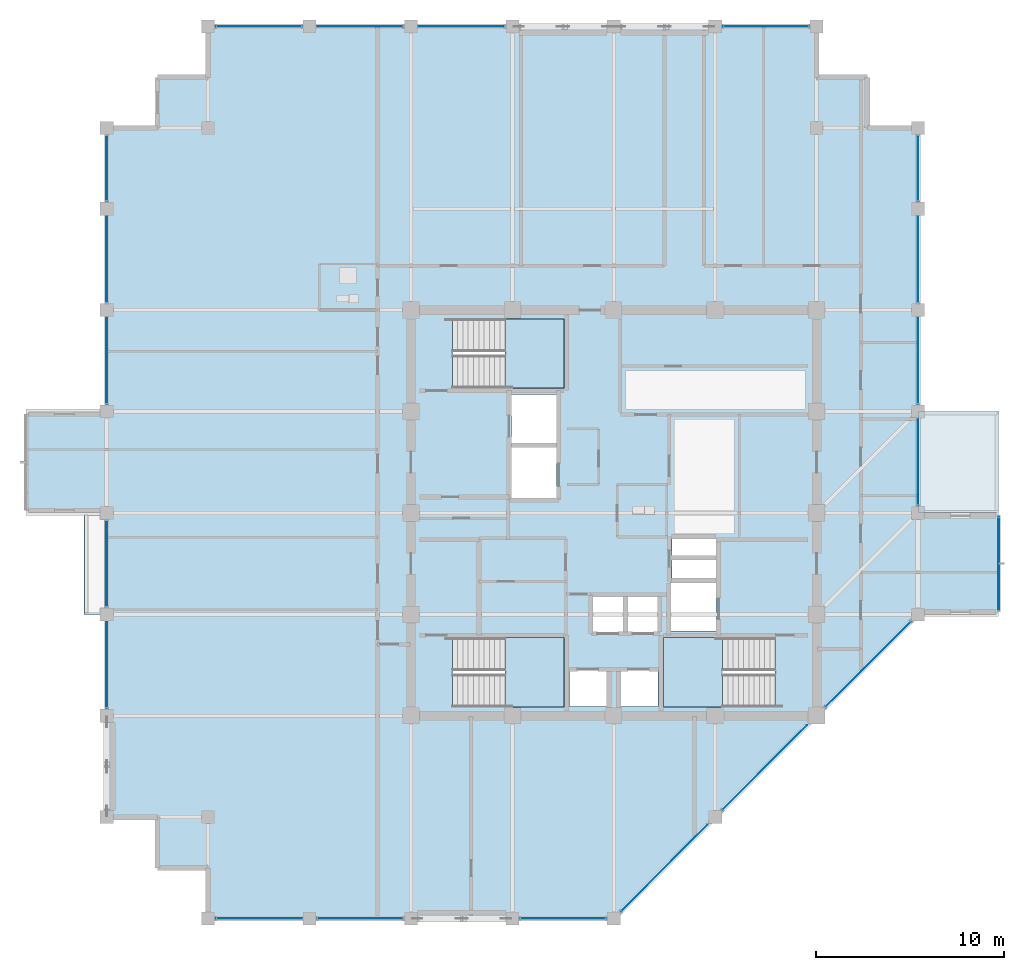
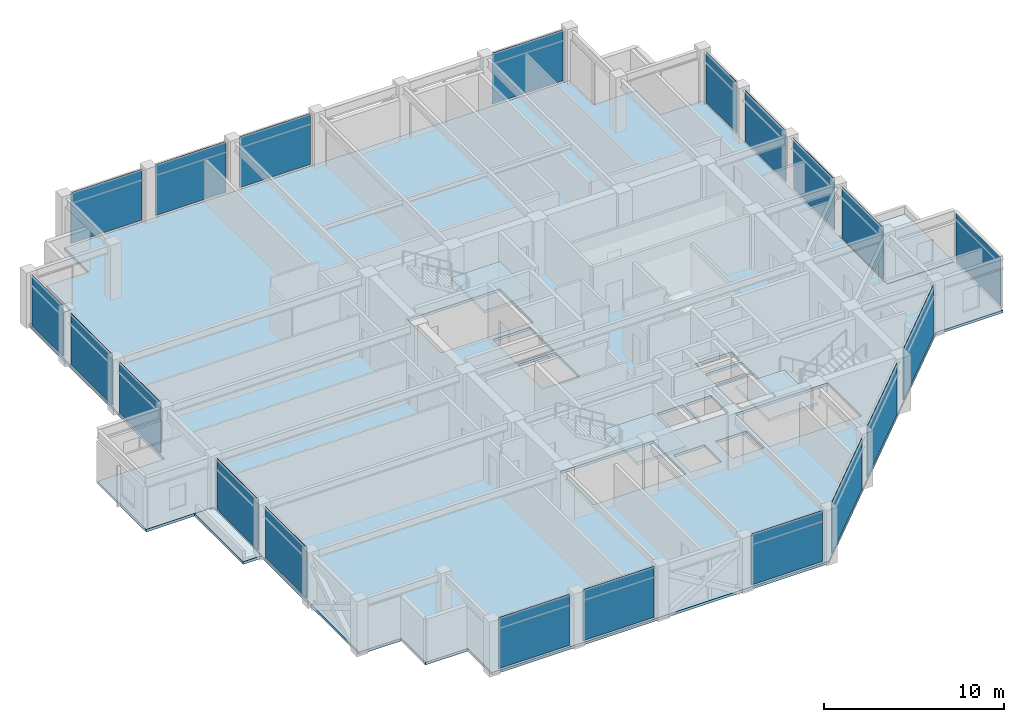
# One storey, part 22 of 31: 20 plates, 6 slabs, 12 elements without a shape of their own.
"""IFC4 building model written with IfcOpenShell, lengths in metres."""

from ifc_helpers import new_model, si_unit, direction, frame, frame_2d, origin, place, context, subcontext, project, spatial, polyline, rectangle, outline, extrude, material, layer, layer_set, type_object, element, aggregate, save


model = new_model("IFC4")

# Units and contexts
model_context = context("Model", 3, precision=1e-05, world=origin(), true_north=direction((0.0, 1.0)))
body_context = subcontext(model_context, "Body", "Model", "MODEL_VIEW")
ifc_project = project(units=[si_unit("LENGTHUNIT", "METRE"), si_unit("AREAUNIT", "SQUARE_METRE"), si_unit("VOLUMEUNIT", "CUBIC_METRE"), si_unit("PLANEANGLEUNIT", "RADIAN"), si_unit("MASSUNIT", "GRAM", prefix="KILO")], contexts=[model_context])

# Site, building, storey
site_placement = place(None, origin())
site = spatial("IfcSite", under=ifc_project, at=site_placement, CompositionType="ELEMENT")
building_placement = place(site_placement, origin())
building = spatial("IfcBuilding", under=site, at=building_placement, Name="Surkhivell Harbour Commons", CompositionType="ELEMENT")
storey_placement = place(building_placement, frame((0.0, 0.0, 315.0)))
storey = spatial("IfcBuildingStorey", under=building, at=storey_placement, Name="L82", CompositionType="ELEMENT", Elevation=315.0)

# Curtain wall, plate
ifc_material_1 = material(Name="Anodised pale-metal aluminium and insulated glazing", Category="aluminium")
ifc_layer_1 = layer(ifc_material_1, 0.1650390625)
ifc_layer_set_1 = layer_set([ifc_layer_1], Name="Anodised pale-metal aluminium and insulated glazing")
curtain_wall_type_1 = type_object("IfcCurtainWallType", Name="CW-SYS-BOX", PredefinedType="NOTDEFINED", material=ifc_layer_set_1)
curtain_wall_1_placement = place(storey_placement, origin())
curtain_wall_1 = element("IfcCurtainWall", 1, at=curtain_wall_1_placement, inside=storey, type_object=curtain_wall_type_1, Name="L82 Curtain Wall CW-L82-BOX01", PredefinedType="NOTDEFINED")
ifc_material_2 = material(Name="Triple-glazed bay-cluster vision glass", Category="glass")
ifc_layer_2 = layer(ifc_material_2, 0.028076171875)
ifc_layer_set_2 = layer_set([ifc_layer_2], Name="Triple-glazed bay-cluster vision glass")
plate_type_1 = type_object("IfcPlateType", Name="CWP-GLZ-28", PredefinedType="CURTAIN_PANEL", material=ifc_layer_set_2)
plate_1_placement = place(storey_placement, frame((20.5, -5.179931640625, 0.1298828125), z_axis=(0.0, 0.0, 1.0), x_axis=(0.0, 1.0, 0.0)))
plate_1 = element("IfcPlate", 2, at=plate_1_placement, type_object=plate_type_1, Name="CW-BOX panel 1.1", PredefinedType="CURTAIN_PANEL", context=body_context, shape_type="SweptSolid", body=[
    extrude(rectangle(XDim=4.9599609375, YDim=0.028076171875, at=frame_2d((2.47998046875, 0.0))), origin(), (0.0, 0.0, 1.0), 3.31005859375),
])
aggregate(curtain_wall_1, [plate_1])

# Curtain wall, plates
ifc_layer_3 = layer(ifc_material_1, 0.175048828125)
ifc_layer_set_3 = layer_set([ifc_layer_3], Name="Anodised pale-metal aluminium and insulated glazing")
curtain_wall_type_2 = type_object("IfcCurtainWallType", Name="CW-SYS-Z4", PredefinedType="NOTDEFINED", material=ifc_layer_set_3)
curtain_wall_2_placement = place(storey_placement, origin())
curtain_wall_2 = element("IfcCurtainWall", 3, at=curtain_wall_2_placement, inside=storey, type_object=curtain_wall_type_2, Name="L82 Curtain Wall CW-L82-E00S1", PredefinedType="NOTDEFINED")
ifc_material_3 = material(Name="Double-silver low-E laminated vision glass", Category="glass")
ifc_layer_4 = layer(ifc_material_3, 0.031982421875)
ifc_layer_set_4 = layer_set([ifc_layer_4], Name="Double-silver low-E laminated vision glass")
plate_type_2 = type_object("IfcPlateType", Name="CWP-GLZ-32", PredefinedType="CURTAIN_PANEL", material=ifc_layer_set_4)
plate_2_placement = place(storey_placement, frame((-21.173095703125, -21.60009765625, 0.1298828125), z_axis=(0.0, 0.0, 1.0), x_axis=(1.0, 0.0, 0.0)))
plate_2 = element("IfcPlate", 4, at=plate_2_placement, type_object=plate_type_2, Name="CW-Z4 panel 1.1", PredefinedType="CURTAIN_PANEL", context=body_context, shape_type="SweptSolid", body=[
    extrude(rectangle(XDim=4.546142578125, YDim=0.031982421875, at=frame_2d((2.27294921875, 0.0))), origin(), (0.0, 0.0, 1.0), 3.440185546875),
])
plate_3_placement = place(storey_placement, frame((-15.77294921875, -21.60009765625, 0.1298828125), z_axis=(0.0, 0.0, 1.0), x_axis=(1.0, 0.0, 0.0)))
plate_3 = element("IfcPlate", 5, at=plate_3_placement, type_object=plate_type_2, Name="CW-Z4 panel 2.1", PredefinedType="CURTAIN_PANEL", context=body_context, shape_type="SweptSolid", body=[
    extrude(rectangle(XDim=4.5458984375, YDim=0.031982421875, at=frame_2d((2.27294921875, 0.0))), origin(), (0.0, 0.0, 1.0), 3.440185546875),
])
aggregate(curtain_wall_2, [plate_2, plate_3])

# Curtain wall, plate
curtain_wall_3_placement = place(storey_placement, origin())
curtain_wall_3 = element("IfcCurtainWall", 6, at=curtain_wall_3_placement, inside=storey, type_object=curtain_wall_type_2, Name="L82 Curtain Wall CW-L82-E00S2", PredefinedType="NOTDEFINED")
plate_4_placement = place(storey_placement, frame((-4.972900390625, -21.60009765625, 0.1298828125), z_axis=(0.0, 0.0, 1.0), x_axis=(1.0, 0.0, 0.0)))
plate_4 = element("IfcPlate", 7, at=plate_4_placement, type_object=plate_type_2, Name="CW-Z4 panel 1.1", PredefinedType="CURTAIN_PANEL", context=body_context, shape_type="SweptSolid", body=[
    extrude(rectangle(XDim=4.5458984375, YDim=0.031982421875, at=frame_2d((2.27294921875, 0.0))), origin(), (0.0, 0.0, 1.0), 3.440185546875),
])
aggregate(curtain_wall_3, [plate_4])

# Curtain wall, plates
curtain_wall_4_placement = place(storey_placement, origin())
curtain_wall_4 = element("IfcCurtainWall", 8, at=curtain_wall_4_placement, inside=storey, type_object=curtain_wall_type_2, Name="L82 Curtain Wall CW-L82-E01", PredefinedType="NOTDEFINED")
plate_5_placement = place(storey_placement, frame((0.404541015625, -21.1953125, 0.1298828125), z_axis=(0.0, 0.0, 1.0), x_axis=(0.707125583467, 0.707087978406, 0.0)))
plate_5 = element("IfcPlate", 9, at=plate_5_placement, type_object=plate_type_2, Name="CW-Z4 panel 1.1", PredefinedType="CURTAIN_PANEL", context=body_context, shape_type="SweptSolid", body=[
    extrude(rectangle(XDim=6.4921875, YDim=0.031982421875, at=frame_2d((3.24609375, 0.0))), origin(), (0.0, 0.0, 1.0), 3.440185546875),
])
plate_6_placement = place(storey_placement, frame((5.8046875, -15.79541015625, 0.1298828125), z_axis=(0.0, 0.0, 1.0), x_axis=(0.707106781187, 0.707106781187, 0.0)))
plate_6 = element("IfcPlate", 10, at=plate_6_placement, type_object=plate_type_2, Name="CW-Z4 panel 2.1", PredefinedType="CURTAIN_PANEL", context=body_context, shape_type="SweptSolid", body=[
    extrude(rectangle(XDim=6.350830078125, YDim=0.031982421875, at=frame_2d((3.17529296875, 0.0))), origin(), (0.0, 0.0, 1.0), 3.440185546875),
])
plate_7_placement = place(storey_placement, frame((11.3046875, -10.29541015625, 0.1298828125), z_axis=(0.0, 0.0, 1.0), x_axis=(0.707106781187, 0.707106781187, 0.0)))
plate_7 = element("IfcPlate", 11, at=plate_7_placement, type_object=plate_type_2, Name="CW-Z4 panel 3.1", PredefinedType="CURTAIN_PANEL", context=body_context, shape_type="SweptSolid", body=[
    extrude(rectangle(XDim=6.350830078125, YDim=0.031982421875, at=frame_2d((3.17529296875, 0.0))), origin(), (0.0, 0.0, 1.0), 3.440185546875),
])
aggregate(curtain_wall_4, [plate_5, plate_6, plate_7])

curtain_wall_5_placement = place(storey_placement, origin())
curtain_wall_5 = element("IfcCurtainWall", 12, at=curtain_wall_5_placement, inside=storey, type_object=curtain_wall_type_2, Name="L82 Curtain Wall CW-L82-E02R1", PredefinedType="NOTDEFINED")
plate_8_placement = place(storey_placement, frame((16.199951171875, 0.427001953125, 0.1298828125), z_axis=(0.0, 0.0, 1.0), x_axis=(0.0, 1.0, 0.0)))
plate_8 = element("IfcPlate", 13, at=plate_8_placement, type_object=plate_type_2, Name="CW-Z4 panel 1.1", PredefinedType="CURTAIN_PANEL", context=body_context, shape_type="SweptSolid", body=[
    extrude(rectangle(XDim=4.5458984375, YDim=0.031982421875, at=frame_2d((2.27294921875, 0.0))), origin(), (0.0, 0.0, 1.0), 3.440185546875),
])
plate_9_placement = place(storey_placement, frame((16.199951171875, 5.826904296875, 0.1298828125), z_axis=(0.0, 0.0, 1.0), x_axis=(0.0, 1.0, 0.0)))
plate_9 = element("IfcPlate", 14, at=plate_9_placement, type_object=plate_type_2, Name="CW-Z4 panel 2.1", PredefinedType="CURTAIN_PANEL", context=body_context, shape_type="SweptSolid", body=[
    extrude(rectangle(XDim=4.546142578125, YDim=0.031982421875, at=frame_2d((2.27294921875, 0.0))), origin(), (0.0, 0.0, 1.0), 3.440185546875),
])
plate_10_placement = place(storey_placement, frame((16.199951171875, 11.22705078125, 0.1298828125), z_axis=(0.0, 0.0, 1.0), x_axis=(0.0, 1.0, 0.0)))
plate_10 = element("IfcPlate", 15, at=plate_10_placement, type_object=plate_type_2, Name="CW-Z4 panel 3.1", PredefinedType="CURTAIN_PANEL", context=body_context, shape_type="SweptSolid", body=[
    extrude(rectangle(XDim=4.5458984375, YDim=0.031982421875, at=frame_2d((2.27294921875, 0.0))), origin(), (0.0, 0.0, 1.0), 3.440185546875),
])
plate_11_placement = place(storey_placement, frame((16.199951171875, 16.626953125, 0.1298828125), z_axis=(0.0, 0.0, 1.0), x_axis=(0.0, 1.0, 0.0)))
plate_11 = element("IfcPlate", 16, at=plate_11_placement, type_object=plate_type_2, Name="CW-Z4 panel 4.1", PredefinedType="CURTAIN_PANEL", context=body_context, shape_type="SweptSolid", body=[
    extrude(rectangle(XDim=3.446044921875, YDim=0.031982421875, at=frame_2d((1.72314453125, 0.0))), origin(), (0.0, 0.0, 1.0), 3.440185546875),
])
aggregate(curtain_wall_5, [plate_8, plate_9, plate_10, plate_11])

# Curtain wall, plate
curtain_wall_6_placement = place(storey_placement, origin())
curtain_wall_6 = element("IfcCurtainWall", 17, at=curtain_wall_6_placement, inside=storey, type_object=curtain_wall_type_2, Name="L82 Curtain Wall CW-L82-E07S1", PredefinedType="NOTDEFINED")
plate_12_placement = place(storey_placement, frame((10.373046875, 25.89990234375, 0.1298828125), z_axis=(0.0, 0.0, 1.0), x_axis=(-1.0, 0.0, 0.0)))
plate_12 = element("IfcPlate", 18, at=plate_12_placement, type_object=plate_type_2, Name="CW-Z4 panel 1.1", PredefinedType="CURTAIN_PANEL", context=body_context, shape_type="SweptSolid", body=[
    extrude(rectangle(XDim=4.546142578125, YDim=0.031982421875, at=frame_2d((2.27294921875, 0.0))), origin(), (0.0, 0.0, 1.0), 3.440185546875),
])
aggregate(curtain_wall_6, [plate_12])

# Curtain wall, plates
curtain_wall_7_placement = place(storey_placement, origin())
curtain_wall_7 = element("IfcCurtainWall", 19, at=curtain_wall_7_placement, inside=storey, type_object=curtain_wall_type_2, Name="L82 Curtain Wall CW-L82-E07S2", PredefinedType="NOTDEFINED")
plate_13_placement = place(storey_placement, frame((-5.826904296875, 25.89990234375, 0.1298828125), z_axis=(0.0, 0.0, 1.0), x_axis=(-1.0, 0.0, 0.0)))
plate_13 = element("IfcPlate", 20, at=plate_13_placement, type_object=plate_type_2, Name="CW-Z4 panel 1.1", PredefinedType="CURTAIN_PANEL", context=body_context, shape_type="SweptSolid", body=[
    extrude(rectangle(XDim=4.546142578125, YDim=0.031982421875, at=frame_2d((2.27294921875, 0.0))), origin(), (0.0, 0.0, 1.0), 3.440185546875),
])
plate_14_placement = place(storey_placement, frame((-11.22705078125, 25.89990234375, 0.1298828125), z_axis=(0.0, 0.0, 1.0), x_axis=(-1.0, 0.0, 0.0)))
plate_14 = element("IfcPlate", 21, at=plate_14_placement, type_object=plate_type_2, Name="CW-Z4 panel 2.1", PredefinedType="CURTAIN_PANEL", context=body_context, shape_type="SweptSolid", body=[
    extrude(rectangle(XDim=4.5458984375, YDim=0.031982421875, at=frame_2d((2.27294921875, 0.0))), origin(), (0.0, 0.0, 1.0), 3.440185546875),
])
plate_15_placement = place(storey_placement, frame((-16.626953125, 25.89990234375, 0.1298828125), z_axis=(0.0, 0.0, 1.0), x_axis=(-1.0, 0.0, 0.0)))
plate_15 = element("IfcPlate", 22, at=plate_15_placement, type_object=plate_type_2, Name="CW-Z4 panel 3.1", PredefinedType="CURTAIN_PANEL", context=body_context, shape_type="SweptSolid", body=[
    extrude(rectangle(XDim=4.546142578125, YDim=0.031982421875, at=frame_2d((2.27294921875, 0.0))), origin(), (0.0, 0.0, 1.0), 3.440185546875),
])
aggregate(curtain_wall_7, [plate_13, plate_14, plate_15])

curtain_wall_8_placement = place(storey_placement, origin())
curtain_wall_8 = element("IfcCurtainWall", 23, at=curtain_wall_8_placement, inside=storey, type_object=curtain_wall_type_2, Name="L82 Curtain Wall CW-L82-E12R1S1", PredefinedType="NOTDEFINED")
plate_16_placement = place(storey_placement, frame((-27.0, -10.373046875, 0.1298828125), z_axis=(0.0, 0.0, 1.0), x_axis=(0.0, 1.0, 0.0)))
plate_16 = element("IfcPlate", 24, at=plate_16_placement, type_object=plate_type_2, Name="CW-Z4 panel 1.1", PredefinedType="CURTAIN_PANEL", context=body_context, shape_type="SweptSolid", body=[
    extrude(rectangle(XDim=4.546142578125, YDim=0.031982421875, at=frame_2d((2.27294921875, 0.0))), origin(), (0.0, 0.0, 1.0), 3.440185546875),
])
plate_17_placement = place(storey_placement, frame((-27.0, -4.972900390625, 0.1298828125), z_axis=(0.0, 0.0, 1.0), x_axis=(0.0, 1.0, 0.0)))
plate_17 = element("IfcPlate", 25, at=plate_17_placement, type_object=plate_type_2, Name="CW-Z4 panel 2.1", PredefinedType="CURTAIN_PANEL", context=body_context, shape_type="SweptSolid", body=[
    extrude(rectangle(XDim=4.5458984375, YDim=0.031982421875, at=frame_2d((2.27294921875, 0.0))), origin(), (0.0, 0.0, 1.0), 3.440185546875),
])
aggregate(curtain_wall_8, [plate_16, plate_17])

curtain_wall_9_placement = place(storey_placement, origin())
curtain_wall_9 = element("IfcCurtainWall", 26, at=curtain_wall_9_placement, inside=storey, type_object=curtain_wall_type_2, Name="L82 Curtain Wall CW-L82-E12R2", PredefinedType="NOTDEFINED")
plate_18_placement = place(storey_placement, frame((-27.0, 5.826904296875, 0.1298828125), z_axis=(0.0, 0.0, 1.0), x_axis=(0.0, 1.0, 0.0)))
plate_18 = element("IfcPlate", 27, at=plate_18_placement, type_object=plate_type_2, Name="CW-Z4 panel 1.1", PredefinedType="CURTAIN_PANEL", context=body_context, shape_type="SweptSolid", body=[
    extrude(rectangle(XDim=4.546142578125, YDim=0.031982421875, at=frame_2d((2.27294921875, 0.0))), origin(), (0.0, 0.0, 1.0), 3.440185546875),
])
plate_19_placement = place(storey_placement, frame((-27.0, 11.22705078125, 0.1298828125), z_axis=(0.0, 0.0, 1.0), x_axis=(0.0, 1.0, 0.0)))
plate_19 = element("IfcPlate", 28, at=plate_19_placement, type_object=plate_type_2, Name="CW-Z4 panel 2.1", PredefinedType="CURTAIN_PANEL", context=body_context, shape_type="SweptSolid", body=[
    extrude(rectangle(XDim=4.5458984375, YDim=0.031982421875, at=frame_2d((2.27294921875, 0.0))), origin(), (0.0, 0.0, 1.0), 3.440185546875),
])
plate_20_placement = place(storey_placement, frame((-27.0, 16.626953125, 0.1298828125), z_axis=(0.0, 0.0, 1.0), x_axis=(0.0, 1.0, 0.0)))
plate_20 = element("IfcPlate", 29, at=plate_20_placement, type_object=plate_type_2, Name="CW-Z4 panel 3.1", PredefinedType="CURTAIN_PANEL", context=body_context, shape_type="SweptSolid", body=[
    extrude(rectangle(XDim=3.446044921875, YDim=0.031982421875, at=frame_2d((1.72314453125, 0.0))), origin(), (0.0, 0.0, 1.0), 3.440185546875),
])
aggregate(curtain_wall_9, [plate_18, plate_19, plate_20])

# Slabs
ifc_material_4 = material(Name="Concrete C45/55", Category="concrete")
ifc_layer_5 = layer(ifc_material_4, 0.179931640625)
ifc_layer_set_5 = layer_set([ifc_layer_5], Name="Concrete C45/55")
slab_type_1 = type_object("IfcSlabType", Name="SLB-BOXRF-180", PredefinedType="ROOF", material=ifc_layer_set_5)
slab_1_placement = place(storey_placement, frame((0.0, 0.0, -0.179931640625)))
element("IfcSlab", 30, at=slab_1_placement, inside=storey, type_object=slab_type_1, Name="L82 Closed Box-Cluster Roof Slab 1", PredefinedType="ROOF", context=body_context, shape_type="SweptSolid", body=[
    extrude(outline(polyline([(20.5, 5.39990234375), (16.219970703125, 5.39990234375), (16.219970703125, 0.02001953125), (20.5, 0.02001953125), (20.5, 5.39990234375)])), origin(), (0.0, 0.0, 1.0), 0.179931640625),
])
slab_2_placement = place(storey_placement, frame((0.0, 0.0, -0.179931640625)))
element("IfcSlab", 31, at=slab_2_placement, inside=storey, type_object=slab_type_1, Name="L82 Closed Box-Cluster Roof Slab 2", PredefinedType="ROOF", context=body_context, shape_type="SweptSolid", body=[
    extrude(outline(polyline([(-28.199951171875, -5.39990234375), (-27.02001953125, -5.39990234375), (-27.02001953125, -0.02001953125), (-28.199951171875, -0.02001953125), (-28.199951171875, -5.39990234375)])), origin(), (0.0, 0.0, 1.0), 0.179931640625),
])

# Stair, slab
ifc_material_5 = material(Name="Precast concrete C45/55", Category="concrete")
stair_type = type_object("IfcStairType", Name="STR-DL-375", PredefinedType="HALF_TURN_STAIR", material=ifc_material_5)
stair_1_placement = place(storey_placement, origin())
stair_1 = element("IfcStair", 32, at=stair_1_placement, inside=storey, type_object=stair_type, Name="L82 Core Exit Stair ST1", PredefinedType="HALF_TURN_STAIR")
ifc_material_6 = material(Name="Reinforced concrete C45/55", Category="concrete")
ifc_layer_6 = layer(ifc_material_6, 0.199951171875)
ifc_layer_set_6 = layer_set([ifc_layer_6], Name="Reinforced concrete C45/55")
slab_type_2 = type_object("IfcSlabType", Name="SLB-ST-LND200", PredefinedType="LANDING", material=ifc_layer_set_6)
slab_3_placement = place(storey_placement, frame((0.0, 0.0, 1.675048828125)))
slab_3 = element("IfcSlab", 33, at=slab_3_placement, type_object=slab_type_2, Name="ST1 landing 1", PredefinedType="LANDING", context=body_context, shape_type="SweptSolid", body=[
    extrude(outline(polyline([(-5.7900390625, 6.639892578125), (-2.639892578125, 6.639892578125), (-2.639892578125, 10.340087890625), (-5.7900390625, 10.340087890625), (-5.7900390625, 6.639892578125)])), origin(), (0.0, 0.0, 1.0), 0.199951171875),
])
aggregate(stair_1, [slab_3])

stair_2_placement = place(storey_placement, origin())
stair_2 = element("IfcStair", 34, at=stair_2_placement, inside=storey, type_object=stair_type, Name="L82 Core Exit Stair ST2", PredefinedType="HALF_TURN_STAIR")
slab_4_placement = place(storey_placement, frame((0.0, 0.0, 1.675048828125)))
slab_4 = element("IfcSlab", 35, at=slab_4_placement, type_object=slab_type_2, Name="ST2 landing 1", PredefinedType="LANDING", context=body_context, shape_type="SweptSolid", body=[
    extrude(outline(polyline([(5.7900390625, -6.639892578125), (2.639892578125, -6.639892578125), (2.639892578125, -10.340087890625), (5.7900390625, -10.340087890625), (5.7900390625, -6.639892578125)])), origin(), (0.0, 0.0, 1.0), 0.199951171875),
])
aggregate(stair_2, [slab_4])

stair_3_placement = place(storey_placement, origin())
stair_3 = element("IfcStair", 36, at=stair_3_placement, inside=storey, type_object=stair_type, Name="L82 Core Exit Stair ST3", PredefinedType="HALF_TURN_STAIR")
slab_5_placement = place(storey_placement, frame((0.0, 0.0, 1.675048828125)))
slab_5 = element("IfcSlab", 37, at=slab_5_placement, type_object=slab_type_2, Name="ST3 landing 1", PredefinedType="LANDING", context=body_context, shape_type="SweptSolid", body=[
    extrude(outline(polyline([(-5.7900390625, -10.340087890625), (-2.639892578125, -10.340087890625), (-2.639892578125, -6.639892578125), (-5.7900390625, -6.639892578125), (-5.7900390625, -10.340087890625)])), origin(), (0.0, 0.0, 1.0), 0.199951171875),
])
aggregate(stair_3, [slab_5])

# Slab
ifc_layer_7 = layer(ifc_material_4, 0.179931640625)
ifc_layer_set_7 = layer_set([ifc_layer_7], Name="Concrete C45/55")
slab_type_3 = type_object("IfcSlabType", Name="SLB-TYP-180", PredefinedType="FLOOR", material=ifc_layer_set_7)
slab_6_placement = place(storey_placement, frame((0.0, 0.0, -0.179931640625)))
element("IfcSlab", 38, at=slab_6_placement, inside=storey, type_object=slab_type_3, Name="L82 Structural Floor Slab", PredefinedType="FLOOR", context=body_context, shape_type="SweptSolid", body=[
    extrude(outline(polyline([(-27.0, 20.5), (-27.0, 5.39990234375), (-31.300048828125, 5.39990234375), (-31.300048828125, 0.0), (-27.0, 0.0), (-27.0, -16.199951171875), (-24.300048828125, -16.199951171875), (-24.300048828125, -18.89990234375), (-21.60009765625, -18.89990234375), (-21.60009765625, -21.60009765625), (0.0, -21.60009765625), (16.199951171875, -5.39990234375), (20.5, -5.39990234375), (20.5, 0.0), (16.199951171875, 0.0), (16.199951171875, 20.5), (13.5, 20.5), (13.5, 23.199951171875), (10.800048828125, 23.199951171875), (10.800048828125, 25.89990234375), (-21.60009765625, 25.89990234375), (-21.60009765625, 23.199951171875), (-24.300048828125, 23.199951171875), (-24.300048828125, 20.5), (-27.0, 20.5)]), holes=[polyline([(-8.590087890625, 6.639892578125), (-2.639892578125, 6.639892578125), (-2.639892578125, 10.340087890625), (-8.590087890625, 10.340087890625), (-8.590087890625, 6.639892578125)]), polyline([(8.590087890625, -6.639892578125), (2.639892578125, -6.639892578125), (2.639892578125, -10.340087890625), (8.590087890625, -10.340087890625), (8.590087890625, -6.639892578125)]), polyline([(-8.590087890625, -10.340087890625), (-2.639892578125, -10.340087890625), (-2.639892578125, -6.639892578125), (-8.590087890625, -6.639892578125), (-8.590087890625, -10.340087890625)]), polyline([(-1.14990234375, -6.35009765625), (0.550048828125, -6.35009765625), (0.550048828125, -4.449951171875), (-1.14990234375, -4.449951171875), (-1.14990234375, -6.35009765625)]), polyline([(0.679931640625, -6.35009765625), (2.3798828125, -6.35009765625), (2.3798828125, -4.449951171875), (0.679931640625, -4.449951171875), (0.679931640625, -6.35009765625)]), polyline([(-2.35009765625, -10.300048828125), (-0.35009765625, -10.300048828125), (-0.35009765625, -8.39990234375), (-2.35009765625, -8.39990234375), (-2.35009765625, -10.300048828125)]), polyline([(0.35009765625, -10.300048828125), (2.35009765625, -10.300048828125), (2.35009765625, -8.39990234375), (0.35009765625, -8.39990234375), (0.35009765625, -10.300048828125)]), polyline([(-5.449951171875, 3.699951171875), (-3.050048828125, 3.699951171875), (-3.050048828125, 6.300048828125), (-5.449951171875, 6.300048828125), (-5.449951171875, 3.699951171875)]), polyline([(3.050048828125, -6.300048828125), (5.449951171875, -6.300048828125), (5.449951171875, -3.699951171875), (3.050048828125, -3.699951171875), (3.050048828125, -6.300048828125)]), polyline([(-5.449951171875, 0.800048828125), (-3.050048828125, 0.800048828125), (-3.050048828125, 3.5), (-5.449951171875, 3.5), (-5.449951171875, 0.800048828125)]), polyline([(3.10009765625, -3.550048828125), (5.449951171875, -3.550048828125), (5.449951171875, -2.47998046875), (3.10009765625, -2.47998046875), (3.10009765625, -3.550048828125)]), polyline([(3.10009765625, -2.280029296875), (5.449951171875, -2.280029296875), (5.449951171875, -1.35009765625), (3.10009765625, -1.35009765625), (3.10009765625, -2.280029296875)])]), origin(), (0.0, 0.0, 1.0), 0.179931640625),
])

save(model, "model.ifc")
